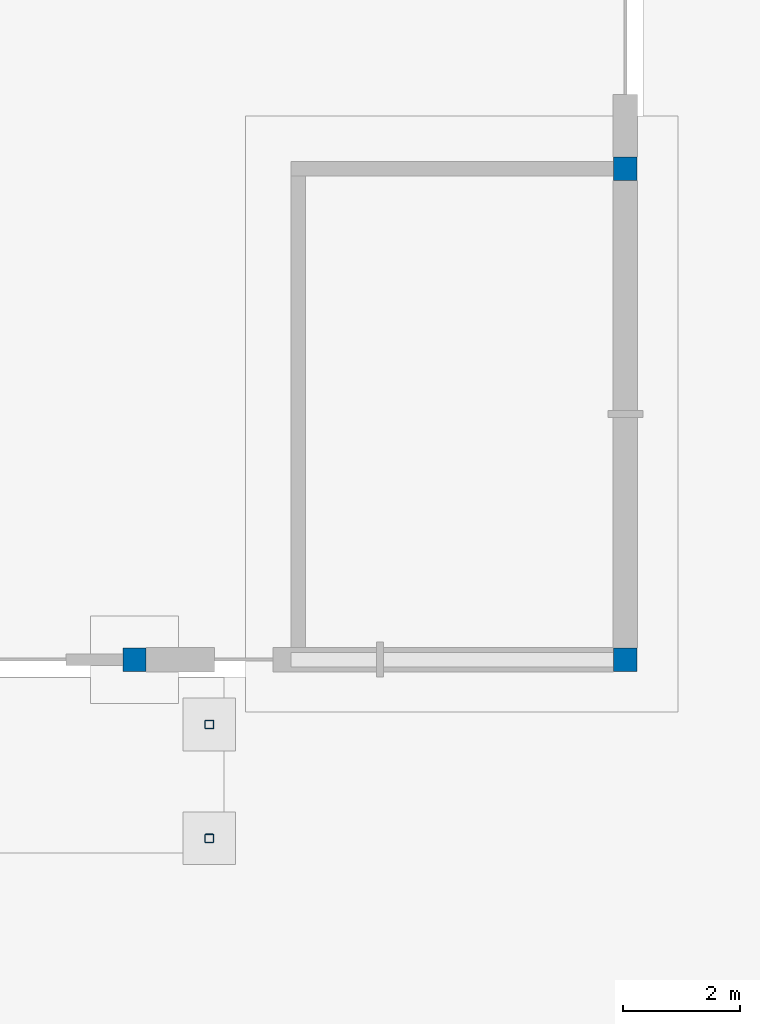
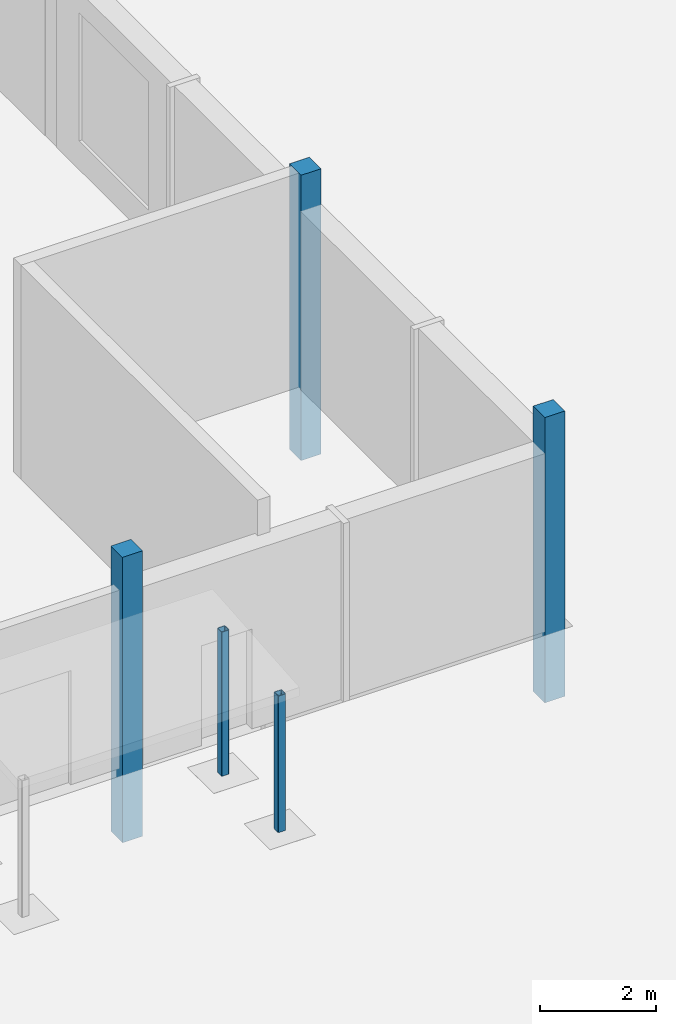
# One storey, part 8 of 36: 5 columns.
"""IFC4 building model written with IfcOpenShell, lengths in metres."""

from ifc_helpers import new_model, si_unit, direction, frame, origin, origin_2d, place, context, subcontext, project, spatial, rectangle, hollow_rectangle, extrude, material, material_profile, profile_set, type_object, element, save


model = new_model("IFC4")

# Units and contexts
model_context = context("Model", 3, precision=1e-05, world=origin(), true_north=direction((0.0, 1.0)))
body_context = subcontext(model_context, "Body", "Model", "MODEL_VIEW")
ifc_project = project(units=[si_unit("LENGTHUNIT", "METRE"), si_unit("AREAUNIT", "SQUARE_METRE"), si_unit("VOLUMEUNIT", "CUBIC_METRE"), si_unit("PLANEANGLEUNIT", "RADIAN"), si_unit("MASSUNIT", "GRAM", prefix="KILO")], contexts=[model_context])

# Site, building, storey
site_placement = place(None, origin())
site = spatial("IfcSite", under=ifc_project, at=site_placement, CompositionType="ELEMENT")
building_placement = place(site_placement, origin())
building = spatial("IfcBuilding", under=site, at=building_placement, Name="Fescue Hill Polytechnic", CompositionType="ELEMENT")
storey_placement = place(building_placement, origin())
storey = spatial("IfcBuildingStorey", under=building, at=storey_placement, Name="L00", CompositionType="ELEMENT", Elevation=0.0)

# Columns
ifc_material_1 = material(Name="Steel 350W (350 MPa)", Category="steel")
ifc_material_profile_1 = material_profile(ifc_material_1, hollow_rectangle(XDim=0.15234375, YDim=0.15234375, WallThickness=0.009521484375, InnerFilletRadius=0.009521484375, OuterFilletRadius=0.01904296875, at=origin_2d()), Name="Canopy post HSS 152x152x9.5")
ifc_profile_set_1 = profile_set([ifc_material_profile_1], Name="Steel 350W (350 MPa)")
column_type_1 = type_object("IfcColumnType", Name="Canopy post HSS 152x152x9.5", PredefinedType="COLUMN", material=ifc_profile_set_1)
column_1_placement = place(storey_placement, frame((152.47998046875, 7.2900390625, 0.0), z_axis=(0.0, 0.0, 1.0), x_axis=(1.0, 0.0, 0.0)))
element("IfcColumn", 1, at=column_1_placement, inside=storey, type_object=column_type_1, Name="Canopy post V3", PredefinedType="COLUMN", context=body_context, shape_type="SweptSolid", body=[
    extrude(hollow_rectangle(XDim=0.15234375, YDim=0.15234375, WallThickness=0.009521484375, InnerFilletRadius=0.009521484375, OuterFilletRadius=0.01904296875, at=origin_2d()), origin(), (0.0, 0.0, 1.0), 3.033447265625),
])
column_2_placement = place(storey_placement, frame((152.47998046875, 5.340087890625, 0.0), z_axis=(0.0, 0.0, 1.0), x_axis=(1.0, 0.0, 0.0)))
element("IfcColumn", 2, at=column_2_placement, inside=storey, type_object=column_type_1, Name="Canopy post V3", PredefinedType="COLUMN", context=body_context, shape_type="SweptSolid", body=[
    extrude(hollow_rectangle(XDim=0.15234375, YDim=0.15234375, WallThickness=0.009521484375, InnerFilletRadius=0.009521484375, OuterFilletRadius=0.01904296875, at=origin_2d()), origin(), (0.0, 0.0, 1.0), 2.870849609375),
])
ifc_material_2 = material(Name="Concrete 40 MPa", Category="concrete")
ifc_material_profile_2 = material_profile(ifc_material_2, rectangle(XDim=0.39990234375, YDim=0.39990234375, at=origin_2d()), Name="RC 400x400")
ifc_profile_set_2 = profile_set([ifc_material_profile_2], Name="Concrete 40 MPa")
column_type_2 = type_object("IfcColumnType", Name="Column RC 400x400", PredefinedType="COLUMN", material=ifc_profile_set_2)
for number, where, z_axis, x_axis, name in (
    (3, (151.199951171875, 8.39990234375, -1.5), (0.0, 0.0, 1.0), (1.0, 0.0, 0.0), "COL-L00-V3-015"),
    (4, (159.60009765625, 8.39990234375, -1.5), (0.0, 0.0, 1.0), (1.0, 0.0, 0.0), "COL-L00-V3-019"),
    (5, (159.60009765625, 16.800048828125, -1.5), (0.0, 0.0, 1.0), (1.0, 0.0, 0.0), "COL-L00-V3-020"),
):
    element("IfcColumn", number, at=place(storey_placement, frame(where, z_axis=z_axis, x_axis=x_axis)), inside=storey, type_object=column_type_2, Name=name, PredefinedType="COLUMN", context=body_context, shape_type="SweptSolid", body=[
        extrude(rectangle(XDim=0.39990234375, YDim=0.39990234375, at=origin_2d()), origin(), (0.0, 0.0, 1.0), 6.0),
    ])

save(model, "model.ifc")
